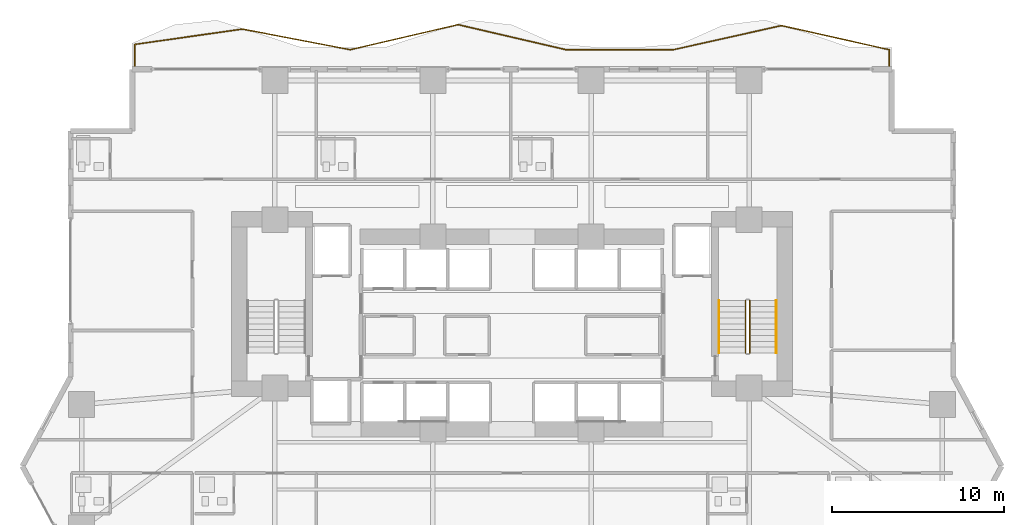
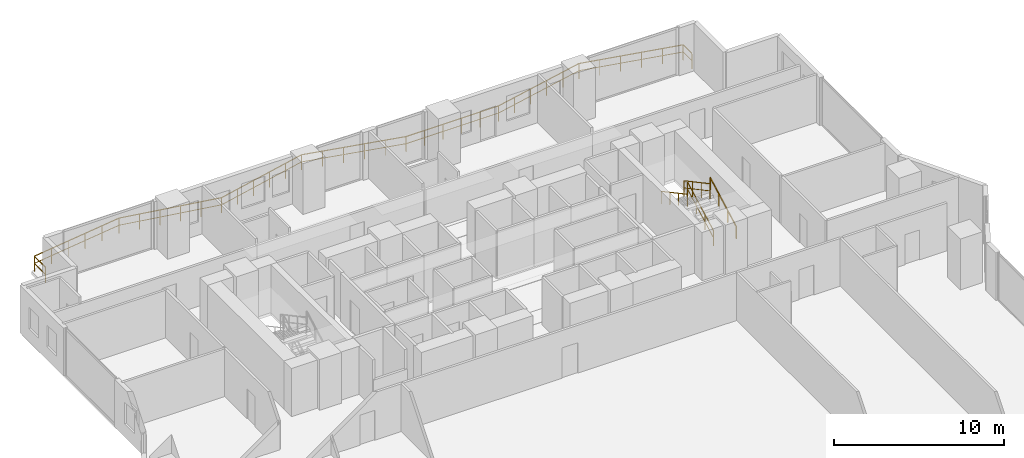
# One storey, part 26 of 28: 5 railings.
"""IFC4 building model written with IfcOpenShell, lengths in metres."""

import ifcopenshell
import ifcopenshell.guid

model = None  # the IFC model being written
_history = None  # IfcOwnerHistory: only IFC2X3 demands one
_inside = {}  # id of a spatial element -> (the spatial element, [elements in it])
_under = {}  # id of a project, library or spatial element -> (it, [spatial elements below it])
_declared = {}  # id of a project -> (the project, [libraries it declares])
_typed = {}  # id of a type object -> (the type object, [elements of that type])
_made_of = {}  # id of a material, layer set ... -> (it, [elements and type objects made of it])


def new_model(schema):
    """Start an empty IFC model of exactly this schema.

    Asked for "IFC4X3", IfcOpenShell would pick the latest addendum, in which some entities
    have other attributes; the version numbers below select the first issue.
    IFC2X3 requires an IfcOwnerHistory on every rooted entity: one is made here for all.
    """
    global model, _history
    if schema == "IFC4X3":
        model = ifcopenshell.file(schema_version=(4, 3, 0, 0))
    else:
        model = ifcopenshell.file(schema=schema)
    _inside.clear()
    _under.clear()
    _declared.clear()
    _typed.clear()
    _made_of.clear()
    _history = None
    if model.schema == "IFC2X3":
        org = make("IfcOrganization", Name="unknown")
        user = make(
            "IfcPersonAndOrganization",
            ThePerson=make("IfcPerson", FamilyName="unknown"),
            TheOrganization=org,
        )
        app = make(
            "IfcApplication",
            ApplicationDeveloper=org,
            Version="unknown",
            ApplicationFullName="unknown",
            ApplicationIdentifier="unknown",
        )
        _history = make(
            "IfcOwnerHistory",
            OwningUser=user,
            OwningApplication=app,
            ChangeAction="ADDED",
            CreationDate=0,
        )
    return model


def make(cls, **values):
    """One entity of the class cls with the attributes given. An attribute that is None is left unset."""
    return model.create_entity(
        cls, **{name: value for name, value in values.items() if value is not None}
    )


def rooted(cls, **values):
    """An entity with a GlobalId (a new one), such as an element, a storey or a relation."""
    return make(cls, GlobalId=ifcopenshell.guid.new(), OwnerHistory=_history, **values)


def si_unit(unit_type, name, prefix=None):
    """IfcSIUnit, for example si_unit("LENGTHUNIT", "METRE", prefix="MILLI")."""
    return make("IfcSIUnit", UnitType=unit_type, Prefix=prefix, Name=name)


def assignment(units):
    """IfcUnitAssignment: the units of a project."""
    return None if units is None else make("IfcUnitAssignment", Units=units)


def point(xyz):
    """IfcCartesianPoint."""
    return None if xyz is None else make("IfcCartesianPoint", Coordinates=xyz)


def direction(xyz):
    """IfcDirection."""
    return None if xyz is None else make("IfcDirection", DirectionRatios=xyz)


def frame(location, z_axis=None, x_axis=None):
    """IfcAxis2Placement3D, a coordinate frame: its origin and axes. An axis left out is left unset."""
    return make(
        "IfcAxis2Placement3D",
        Location=point(location),
        Axis=direction(z_axis),
        RefDirection=direction(x_axis),
    )


def frame_2d(location, x_axis=None):
    """IfcAxis2Placement2D, a coordinate frame in the plane: its origin and x axis."""
    return make(
        "IfcAxis2Placement2D", Location=point(location), RefDirection=direction(x_axis)
    )


def origin():
    """The frame at (0, 0, 0) with its axes left unset."""
    return frame((0.0, 0.0, 0.0))


def origin_2d():
    """The frame at (0, 0) in the plane with its x axis left unset."""
    return frame_2d((0.0, 0.0))


def place(relative_to, where):
    """IfcLocalPlacement: puts the frame where relative to a parent placement (None: the world)."""
    return make(
        "IfcLocalPlacement", PlacementRelTo=relative_to, RelativePlacement=where
    )


def context(
    kind, dimensions, precision=None, world=None, true_north=None, identifier=None
):
    """IfcGeometricRepresentationContext, for example the 3D "Model" context."""
    return make(
        "IfcGeometricRepresentationContext",
        ContextIdentifier=identifier,
        ContextType=kind,
        CoordinateSpaceDimension=dimensions,
        Precision=precision,
        WorldCoordinateSystem=world,
        TrueNorth=true_north,
    )


def subcontext(parent, identifier, kind, view, scale=None):
    """IfcGeometricRepresentationSubContext, for example "Body" below "Model"."""
    return make(
        "IfcGeometricRepresentationSubContext",
        ContextIdentifier=identifier,
        ContextType=kind,
        ParentContext=parent,
        TargetScale=scale,
        TargetView=view,
    )


def project(units=None, contexts=None):
    """IfcProject with its units and contexts."""
    return rooted(
        "IfcProject",
        Name="project",
        RepresentationContexts=contexts,
        UnitsInContext=assignment(units),
    )


def spatial(cls, under=None, at=None, **own):
    """A site, building, storey or space (cls), placed at a placement, below another one or the project."""
    s = rooted(cls, ObjectPlacement=at, **own)
    if under is not None:
        _under.setdefault(under.id(), (under, []))[1].append(s)
    return s


def profile(cls, at=None, kind="AREA", **sizes):
    """A parametric profile (cls). Its sizes go by their IFC names, for example OverallWidth=200.0."""
    return make(cls, ProfileType=kind, Position=at, **sizes)


def rectangle(**sizes):
    """IfcRectangleProfileDef."""
    return profile("IfcRectangleProfileDef", **sizes)


def extrude(swept, where, along, depth):
    """IfcExtrudedAreaSolid: the profile swept, set in the frame where, extruded along a direction by depth."""
    return make(
        "IfcExtrudedAreaSolid",
        SweptArea=swept,
        Position=where,
        ExtrudedDirection=direction(along),
        Depth=depth,
    )


def shape(context_of_items, identifier, shape_type, items):
    """IfcShapeRepresentation: the items that make up one representation, for example the "Body"."""
    return make(
        "IfcShapeRepresentation",
        ContextOfItems=context_of_items,
        RepresentationIdentifier=identifier,
        RepresentationType=shape_type,
        Items=items,
    )


def material(Name=None, Category=None):
    """IfcMaterial."""
    return make("IfcMaterial", Name=Name, Category=Category)


def made_of(thing, what):
    """Note that an element or type object is made of a material, layer set ...; save() writes the relation."""
    if what is not None:
        _made_of.setdefault(what.id(), (what, []))[1].append(thing)
    return thing


def type_object(cls, material=None, **own):
    """A type object (cls), such as IfcWallType, which elements share."""
    return made_of(rooted(cls, **own), material)


def element(
    cls,
    number,
    at=None,
    inside=None,
    cuts=None,
    type_object=None,
    material=None,
    context=None,
    identifier="Body",
    shape_type=None,
    held_by="IfcProductDefinitionShape",
    body=None,
    shapes=None,
    **own,
):
    """One element of the class cls, such as IfcWall. Its Tag is "e" and its number.

    at: its placement. inside: the storey or other place that contains it. cuts: it is an
    opening in that element (IfcRelVoidsElement). A single representation is given by context,
    identifier, shape_type and body (its items); several are given by shapes. held_by: the class
    of the entity that holds the representations. save() writes the other relations.
    """
    e = rooted(cls, Tag="e%d" % number, ObjectPlacement=at, **own)
    if body is not None:
        shapes = [shape(context, identifier, shape_type, body)]
    if shapes is not None:
        e.Representation = make(held_by, Representations=shapes)
    if inside is not None:
        _inside.setdefault(inside.id(), (inside, []))[1].append(e)
    if cuts is not None:
        rooted(
            "IfcRelVoidsElement", RelatingBuildingElement=cuts, RelatedOpeningElement=e
        )
    if type_object is not None:
        _typed.setdefault(type_object.id(), (type_object, []))[1].append(e)
    return made_of(e, material)


def aggregate(whole, parts):
    """IfcRelAggregates: a whole, such as a stair, and the parts it consists of."""
    return rooted("IfcRelAggregates", RelatingObject=whole, RelatedObjects=parts)


def save(model, path):
    """Write the relations noted so far, then the file.

    IfcRelAggregates (storeys below a building ...), IfcRelContainedInSpatialStructure (elements
    in a storey), IfcRelDefinesByType, IfcRelAssociatesMaterial and IfcRelDeclares: one each for
    every whole, place, type object, material and project.
    """
    for whole, parts in _under.values():
        aggregate(whole, parts)
    for where, things in _inside.values():
        rooted(
            "IfcRelContainedInSpatialStructure",
            RelatedElements=things,
            RelatingStructure=where,
        )
    for kind, things in _typed.values():
        rooted("IfcRelDefinesByType", RelatedObjects=things, RelatingType=kind)
    for what, things in _made_of.values():
        rooted("IfcRelAssociatesMaterial", RelatedObjects=things, RelatingMaterial=what)
    for by, libraries in _declared.values():
        rooted("IfcRelDeclares", RelatingContext=by, RelatedDefinitions=libraries)
    model.write(path)


model = new_model("IFC4")

# Units and contexts
model_context = context("Model", 3, precision=1e-05, world=origin(), true_north=direction((0.0, 1.0)))
body_context = subcontext(model_context, "Body", "Model", "MODEL_VIEW")
ifc_project = project(units=[si_unit("LENGTHUNIT", "METRE"), si_unit("AREAUNIT", "SQUARE_METRE"), si_unit("VOLUMEUNIT", "CUBIC_METRE"), si_unit("PLANEANGLEUNIT", "RADIAN"), si_unit("MASSUNIT", "GRAM", prefix="KILO")], contexts=[model_context])

# Site, building, storey
site_placement = place(None, origin())
site = spatial("IfcSite", under=ifc_project, at=site_placement, CompositionType="ELEMENT")
building_placement = place(site_placement, origin())
building = spatial("IfcBuilding", under=site, at=building_placement, Name="Zuhayl Quay Hotel", CompositionType="ELEMENT")
storey_placement = place(building_placement, frame((0.0, 0.0, 71.39990234375)))
storey = spatial("IfcBuildingStorey", under=building, at=storey_placement, Name="L17", CompositionType="ELEMENT", Elevation=71.39990234375)

# Railings
ifc_material_1 = material(Name="Anodised Aluminium and Laminated Glass", Category="aluminium")
railing_type_1 = type_object("IfcRailingType", Name="RL_EXT_BAL_1100", PredefinedType="BALUSTRADE", material=ifc_material_1)
railing_1_placement = place(storey_placement, frame((-21.9599609375, 23.219970703125, 0.0)))
element("IfcRailing", 1, at=railing_1_placement, inside=storey, type_object=railing_type_1, Name="L17 Balcony and Terrace Guard GR_L17_BAL_N", PredefinedType="BALUSTRADE", context=body_context, shape_type="SweptSolid", body=[
    extrude(rectangle(XDim=0.048095703125, YDim=0.048095703125, at=origin_2d()), frame((0.0, 0.0, 1.09619140625), z_axis=(0.0, 1.0, 0.0), x_axis=(-1.0, 0.0, 0.0)), (0.0, 0.0, 1.0), 1.327880859375),
    extrude(rectangle(XDim=0.0361328125, YDim=0.0361328125, at=origin_2d()), frame((0.0, 0.0, 0.58251953125), z_axis=(0.0, 1.0, 0.0), x_axis=(-1.0, 0.0, 0.0)), (0.0, 0.0, 1.0), 1.327880859375),
    extrude(rectangle(XDim=0.048095703125, YDim=0.048095703125, at=origin_2d()), frame((0.0, 1.327880859375, 1.09619140625), z_axis=(0.990015645438, 0.140957517672, 0.0), x_axis=(-0.140957517672, 0.990015645438, 0.0)), (0.0, 0.0, 1.0), 6.33740234375),
    extrude(rectangle(XDim=0.0361328125, YDim=0.0361328125, at=origin_2d()), frame((0.0, 1.327880859375, 0.58251953125), z_axis=(0.990015645438, 0.140957517672, 0.0), x_axis=(-0.140957517672, 0.990015645438, 0.0)), (0.0, 0.0, 1.0), 6.33740234375),
    extrude(rectangle(XDim=0.048095703125, YDim=0.048095703125, at=origin_2d()), frame((6.274169921875, 2.22119140625, 1.09619140625), z_axis=(0.982164202517, -0.188025209198, 0.0), x_axis=(0.188025209198, 0.982164202517, 0.0)), (0.0, 0.0, 1.0), 6.388427734375),
    extrude(rectangle(XDim=0.0361328125, YDim=0.0361328125, at=origin_2d()), frame((6.274169921875, 2.22119140625, 0.58251953125), z_axis=(0.982164202517, -0.188025209198, 0.0), x_axis=(0.188025209198, 0.982164202517, 0.0)), (0.0, 0.0, 1.0), 6.388427734375),
    extrude(rectangle(XDim=0.048095703125, YDim=0.048095703125, at=origin_2d()), frame((12.548583984375, 1.02001953125, 1.09619140625), z_axis=(0.973987215954, 0.226602963702, 0.0), x_axis=(-0.226602963702, 0.973987215954, 0.0)), (0.0, 0.0, 1.0), 6.441650390625),
    extrude(rectangle(XDim=0.0361328125, YDim=0.0361328125, at=origin_2d()), frame((12.548583984375, 1.02001953125, 0.58251953125), z_axis=(0.973987215954, 0.226602963702, 0.0), x_axis=(-0.226602963702, 0.973987215954, 0.0)), (0.0, 0.0, 1.0), 6.441650390625),
    extrude(rectangle(XDim=0.048095703125, YDim=0.048095703125, at=origin_2d()), frame((18.82275390625, 2.479736328125, 1.09619140625), z_axis=(0.97398916196, -0.226594599197, 0.0), x_axis=(0.226594599197, 0.97398916196, 0.0)), (0.0, 0.0, 1.0), 6.44189453125),
    extrude(rectangle(XDim=0.0361328125, YDim=0.0361328125, at=origin_2d()), frame((18.82275390625, 2.479736328125, 0.58251953125), z_axis=(0.97398916196, -0.226594599197, 0.0), x_axis=(0.226594599197, 0.97398916196, 0.0)), (0.0, 0.0, 1.0), 6.44189453125),
    extrude(rectangle(XDim=0.048095703125, YDim=0.048095703125, at=origin_2d()), frame((25.09716796875, 1.02001953125, 1.09619140625), z_axis=(0.999999726697, 0.000739328176, 0.0), x_axis=(-0.000739328176, 0.999999726697, 0.0)), (0.0, 0.0, 1.0), 6.274169921875),
    extrude(rectangle(XDim=0.0361328125, YDim=0.0361328125, at=origin_2d()), frame((25.09716796875, 1.02001953125, 0.58251953125), z_axis=(0.999999726697, 0.000739328176, 0.0), x_axis=(-0.000739328176, 0.999999726697, 0.0)), (0.0, 0.0, 1.0), 6.274169921875),
    extrude(rectangle(XDim=0.048095703125, YDim=0.048095703125, at=origin_2d()), frame((31.371337890625, 1.024658203125, 1.09619140625), z_axis=(0.97601877339, 0.217686366112, 0.0), x_axis=(-0.217686366112, 0.97601877339, 0.0)), (0.0, 0.0, 1.0), 6.428466796875),
    extrude(rectangle(XDim=0.0361328125, YDim=0.0361328125, at=origin_2d()), frame((31.371337890625, 1.024658203125, 0.58251953125), z_axis=(0.97601877339, 0.217686366112, 0.0), x_axis=(-0.217686366112, 0.97601877339, 0.0)), (0.0, 0.0, 1.0), 6.428466796875),
    extrude(rectangle(XDim=0.048095703125, YDim=0.048095703125, at=origin_2d()), frame((37.645751953125, 2.424072265625, 1.09619140625), z_axis=(0.975863435548, -0.218381673133, 0.0), x_axis=(0.218381673133, 0.975863435548, 0.0)), (0.0, 0.0, 1.0), 6.429443359375),
    extrude(rectangle(XDim=0.0361328125, YDim=0.0361328125, at=origin_2d()), frame((37.645751953125, 2.424072265625, 0.58251953125), z_axis=(0.975863435548, -0.218381673133, 0.0), x_axis=(0.218381673133, 0.975863435548, 0.0)), (0.0, 0.0, 1.0), 6.429443359375),
    extrude(rectangle(XDim=0.048095703125, YDim=0.048095703125, at=origin_2d()), frame((43.919921875, 1.02001953125, 1.09619140625), z_axis=(0.0, -1.0, 0.0), x_axis=(1.0, 0.0, 0.0)), (0.0, 0.0, 1.0), 1.02001953125),
    extrude(rectangle(XDim=0.0361328125, YDim=0.0361328125, at=origin_2d()), frame((43.919921875, 1.02001953125, 0.58251953125), z_axis=(0.0, -1.0, 0.0), x_axis=(1.0, 0.0, 0.0)), (0.0, 0.0, 1.0), 1.02001953125),
    extrude(rectangle(XDim=0.0419921875, YDim=0.0419921875, at=origin_2d()), origin(), (0.0, 0.0, 1.0), 1.072021484375),
    extrude(rectangle(XDim=0.0419921875, YDim=0.0419921875, at=origin_2d()), frame((0.0, 1.327880859375, 0.0)), (0.0, 0.0, 1.0), 1.072021484375),
    extrude(rectangle(XDim=0.0419921875, YDim=0.0419921875, at=origin_2d()), frame((1.2548828125, 1.506591796875, 0.0)), (0.0, 0.0, 1.0), 1.072021484375),
    extrude(rectangle(XDim=0.0419921875, YDim=0.0419921875, at=origin_2d()), frame((2.509765625, 1.685302734375, 0.0)), (0.0, 0.0, 1.0), 1.072021484375),
    extrude(rectangle(XDim=0.0419921875, YDim=0.0419921875, at=origin_2d()), frame((3.764404296875, 1.86376953125, 0.0)), (0.0, 0.0, 1.0), 1.072021484375),
    extrude(rectangle(XDim=0.0419921875, YDim=0.0419921875, at=origin_2d()), frame((5.019287109375, 2.04248046875, 0.0)), (0.0, 0.0, 1.0), 1.072021484375),
    extrude(rectangle(XDim=0.0419921875, YDim=0.0419921875, at=origin_2d()), frame((6.274169921875, 2.22119140625, 0.0)), (0.0, 0.0, 1.0), 1.072021484375),
    extrude(rectangle(XDim=0.0419921875, YDim=0.0419921875, at=origin_2d()), frame((7.529052734375, 1.98095703125, 0.0)), (0.0, 0.0, 1.0), 1.072021484375),
    extrude(rectangle(XDim=0.0419921875, YDim=0.0419921875, at=origin_2d()), frame((8.783935546875, 1.74072265625, 0.0)), (0.0, 0.0, 1.0), 1.072021484375),
    extrude(rectangle(XDim=0.0419921875, YDim=0.0419921875, at=origin_2d()), frame((10.038818359375, 1.50048828125, 0.0)), (0.0, 0.0, 1.0), 1.072021484375),
    extrude(rectangle(XDim=0.0419921875, YDim=0.0419921875, at=origin_2d()), frame((11.293701171875, 1.26025390625, 0.0)), (0.0, 0.0, 1.0), 1.072021484375),
    extrude(rectangle(XDim=0.0419921875, YDim=0.0419921875, at=origin_2d()), frame((12.548583984375, 1.02001953125, 0.0)), (0.0, 0.0, 1.0), 1.072021484375),
    extrude(rectangle(XDim=0.0419921875, YDim=0.0419921875, at=origin_2d()), frame((13.803466796875, 1.31201171875, 0.0)), (0.0, 0.0, 1.0), 1.072021484375),
    extrude(rectangle(XDim=0.0419921875, YDim=0.0419921875, at=origin_2d()), frame((15.058349609375, 1.60400390625, 0.0)), (0.0, 0.0, 1.0), 1.072021484375),
    extrude(rectangle(XDim=0.0419921875, YDim=0.0419921875, at=origin_2d()), frame((16.31298828125, 1.895751953125, 0.0)), (0.0, 0.0, 1.0), 1.072021484375),
    extrude(rectangle(XDim=0.0419921875, YDim=0.0419921875, at=origin_2d()), frame((17.56787109375, 2.187744140625, 0.0)), (0.0, 0.0, 1.0), 1.072021484375),
    extrude(rectangle(XDim=0.0419921875, YDim=0.0419921875, at=origin_2d()), frame((18.82275390625, 2.479736328125, 0.0)), (0.0, 0.0, 1.0), 1.072021484375),
    extrude(rectangle(XDim=0.0419921875, YDim=0.0419921875, at=origin_2d()), frame((20.07763671875, 2.187744140625, 0.0)), (0.0, 0.0, 1.0), 1.072021484375),
    extrude(rectangle(XDim=0.0419921875, YDim=0.0419921875, at=origin_2d()), frame((21.33251953125, 1.895751953125, 0.0)), (0.0, 0.0, 1.0), 1.072021484375),
    extrude(rectangle(XDim=0.0419921875, YDim=0.0419921875, at=origin_2d()), frame((22.58740234375, 1.60400390625, 0.0)), (0.0, 0.0, 1.0), 1.072021484375),
    extrude(rectangle(XDim=0.0419921875, YDim=0.0419921875, at=origin_2d()), frame((23.84228515625, 1.31201171875, 0.0)), (0.0, 0.0, 1.0), 1.072021484375),
    extrude(rectangle(XDim=0.0419921875, YDim=0.0419921875, at=origin_2d()), frame((25.09716796875, 1.02001953125, 0.0)), (0.0, 0.0, 1.0), 1.072021484375),
    extrude(rectangle(XDim=0.0419921875, YDim=0.0419921875, at=origin_2d()), frame((26.35205078125, 1.02099609375, 0.0)), (0.0, 0.0, 1.0), 1.072021484375),
    extrude(rectangle(XDim=0.0419921875, YDim=0.0419921875, at=origin_2d()), frame((27.60693359375, 1.02197265625, 0.0)), (0.0, 0.0, 1.0), 1.072021484375),
    extrude(rectangle(XDim=0.0419921875, YDim=0.0419921875, at=origin_2d()), frame((28.861572265625, 1.022705078125, 0.0)), (0.0, 0.0, 1.0), 1.072021484375),
    extrude(rectangle(XDim=0.0419921875, YDim=0.0419921875, at=origin_2d()), frame((30.116455078125, 1.023681640625, 0.0)), (0.0, 0.0, 1.0), 1.072021484375),
    extrude(rectangle(XDim=0.0419921875, YDim=0.0419921875, at=origin_2d()), frame((31.371337890625, 1.024658203125, 0.0)), (0.0, 0.0, 1.0), 1.072021484375),
    extrude(rectangle(XDim=0.0419921875, YDim=0.0419921875, at=origin_2d()), frame((32.626220703125, 1.304443359375, 0.0)), (0.0, 0.0, 1.0), 1.072021484375),
    extrude(rectangle(XDim=0.0419921875, YDim=0.0419921875, at=origin_2d()), frame((33.881103515625, 1.58447265625, 0.0)), (0.0, 0.0, 1.0), 1.072021484375),
    extrude(rectangle(XDim=0.0419921875, YDim=0.0419921875, at=origin_2d()), frame((35.135986328125, 1.8642578125, 0.0)), (0.0, 0.0, 1.0), 1.072021484375),
    extrude(rectangle(XDim=0.0419921875, YDim=0.0419921875, at=origin_2d()), frame((36.390869140625, 2.144287109375, 0.0)), (0.0, 0.0, 1.0), 1.072021484375),
    extrude(rectangle(XDim=0.0419921875, YDim=0.0419921875, at=origin_2d()), frame((37.645751953125, 2.424072265625, 0.0)), (0.0, 0.0, 1.0), 1.072021484375),
    extrude(rectangle(XDim=0.0419921875, YDim=0.0419921875, at=origin_2d()), frame((38.900634765625, 2.143310546875, 0.0)), (0.0, 0.0, 1.0), 1.072021484375),
    extrude(rectangle(XDim=0.0419921875, YDim=0.0419921875, at=origin_2d()), frame((40.155517578125, 1.862548828125, 0.0)), (0.0, 0.0, 1.0), 1.072021484375),
    extrude(rectangle(XDim=0.0419921875, YDim=0.0419921875, at=origin_2d()), frame((41.41015625, 1.58154296875, 0.0)), (0.0, 0.0, 1.0), 1.072021484375),
    extrude(rectangle(XDim=0.0419921875, YDim=0.0419921875, at=origin_2d()), frame((42.6650390625, 1.30078125, 0.0)), (0.0, 0.0, 1.0), 1.072021484375),
    extrude(rectangle(XDim=0.0419921875, YDim=0.0419921875, at=origin_2d()), frame((43.919921875, 1.02001953125, 0.0)), (0.0, 0.0, 1.0), 1.072021484375),
    extrude(rectangle(XDim=0.0419921875, YDim=0.0419921875, at=origin_2d()), frame((43.919921875, 0.0, 0.0)), (0.0, 0.0, 1.0), 1.072021484375),
])
ifc_material_2 = material(Name="Steel ASTM A992 Grade 50", Category="steel")
railing_type_2 = type_object("IfcRailingType", Name="RL_GUARD_1100", PredefinedType="GUARDRAIL", material=ifc_material_2)
railing_2_placement = place(storey_placement, frame((13.840087890625, 6.590087890625, 0.1826171875)))
element("IfcRailing", 2, at=railing_2_placement, inside=storey, type_object=railing_type_2, Name="L17 ST2 stair guard 1", PredefinedType="GUARDRAIL", context=body_context, shape_type="SweptSolid", body=[
    extrude(rectangle(XDim=0.048095703125, YDim=0.048095703125, at=origin_2d()), frame((0.0, 0.0, 1.09619140625), z_axis=(0.0, 0.88107310026, 0.472980117973), x_axis=(-1.0, 0.0, 0.0)), (0.0, 0.0, 1.0), 3.472900390625),
    extrude(rectangle(XDim=0.0361328125, YDim=0.0361328125, at=origin_2d()), frame((0.0, 0.0, 0.58251953125), z_axis=(0.0, 0.88107310026, 0.472980117973), x_axis=(-1.0, 0.0, 0.0)), (0.0, 0.0, 1.0), 3.472900390625),
    extrude(rectangle(XDim=0.0419921875, YDim=0.0419921875, at=origin_2d()), origin(), (0.0, 0.0, 1.0), 1.072021484375),
    extrude(rectangle(XDim=0.0419921875, YDim=0.0419921875, at=origin_2d()), frame((0.0, 1.02001953125, 0.547607421875)), (0.0, 0.0, 1.0), 1.072021484375),
    extrude(rectangle(XDim=0.0419921875, YDim=0.0419921875, at=origin_2d()), frame((0.0, 2.039794921875, 1.094970703125)), (0.0, 0.0, 1.0), 1.072021484375),
    extrude(rectangle(XDim=0.0419921875, YDim=0.0419921875, at=origin_2d()), frame((0.0, 3.059814453125, 1.642578125)), (0.0, 0.0, 1.0), 1.072021484375),
])
railing_3_placement = place(storey_placement, frame((13.590087890625, 9.64990234375, 2.007568359375)))
element("IfcRailing", 3, at=railing_3_placement, inside=storey, type_object=railing_type_2, Name="L17 ST2 stair guard 3", PredefinedType="GUARDRAIL", context=body_context, shape_type="SweptSolid", body=[
    extrude(rectangle(XDim=0.048095703125, YDim=0.048095703125, at=origin_2d()), frame((0.0, 0.0, 1.09619140625), z_axis=(0.0, -0.88107310026, 0.472980117973), x_axis=(1.0, 0.0, 0.0)), (0.0, 0.0, 1.0), 3.472900390625),
    extrude(rectangle(XDim=0.0361328125, YDim=0.0361328125, at=origin_2d()), frame((0.0, 0.0, 0.58251953125), z_axis=(0.0, -0.88107310026, 0.472980117973), x_axis=(1.0, 0.0, 0.0)), (0.0, 0.0, 1.0), 3.472900390625),
    extrude(rectangle(XDim=0.0419921875, YDim=0.0419921875, at=origin_2d()), origin(), (0.0, 0.0, 1.0), 1.072021484375),
    extrude(rectangle(XDim=0.0419921875, YDim=0.0419921875, at=origin_2d()), frame((0.0, -1.02001953125, 0.547607421875)), (0.0, 0.0, 1.0), 1.072021484375),
    extrude(rectangle(XDim=0.0419921875, YDim=0.0419921875, at=origin_2d()), frame((0.0, -2.039794921875, 1.094970703125)), (0.0, 0.0, 1.0), 1.072021484375),
    extrude(rectangle(XDim=0.0419921875, YDim=0.0419921875, at=origin_2d()), frame((0.0, -3.059814453125, 1.642578125)), (0.0, 0.0, 1.0), 1.072021484375),
])
railing_type_3 = type_object("IfcRailingType", Name="RL_HANDRAIL_920", PredefinedType="HANDRAIL", material=ifc_material_2)
railing_4_placement = place(storey_placement, frame((15.3798828125, 6.590087890625, 0.1826171875)))
element("IfcRailing", 4, at=railing_4_placement, inside=storey, type_object=railing_type_3, Name="L17 ST2 stair handrail 1", PredefinedType="HANDRAIL", context=body_context, shape_type="SweptSolid", body=[
    extrude(rectangle(XDim=0.048095703125, YDim=0.048095703125, at=origin_2d()), frame((0.0, 0.0, 0.8759765625), z_axis=(0.0, 0.88107310026, 0.472980117973), x_axis=(-1.0, 0.0, 0.0)), (0.0, 0.0, 1.0), 3.472900390625),
    extrude(rectangle(XDim=0.0419921875, YDim=0.0419921875, at=origin_2d()), origin(), (0.0, 0.0, 1.0), 0.851806640625),
    extrude(rectangle(XDim=0.0419921875, YDim=0.0419921875, at=origin_2d()), frame((0.0, 1.02001953125, 0.547607421875)), (0.0, 0.0, 1.0), 0.851806640625),
    extrude(rectangle(XDim=0.0419921875, YDim=0.0419921875, at=origin_2d()), frame((0.0, 2.039794921875, 1.094970703125)), (0.0, 0.0, 1.0), 0.851806640625),
    extrude(rectangle(XDim=0.0419921875, YDim=0.0419921875, at=origin_2d()), frame((0.0, 3.059814453125, 1.642578125)), (0.0, 0.0, 1.0), 0.851806640625),
])
railing_5_placement = place(storey_placement, frame((12.050048828125, 9.64990234375, 2.007568359375)))
element("IfcRailing", 5, at=railing_5_placement, inside=storey, type_object=railing_type_3, Name="L17 ST2 stair handrail 2", PredefinedType="HANDRAIL", context=body_context, shape_type="SweptSolid", body=[
    extrude(rectangle(XDim=0.048095703125, YDim=0.048095703125, at=origin_2d()), frame((0.0, 0.0, 0.8759765625), z_axis=(0.0, -0.88107310026, 0.472980117973), x_axis=(1.0, 0.0, 0.0)), (0.0, 0.0, 1.0), 3.472900390625),
    extrude(rectangle(XDim=0.0419921875, YDim=0.0419921875, at=origin_2d()), origin(), (0.0, 0.0, 1.0), 0.851806640625),
    extrude(rectangle(XDim=0.0419921875, YDim=0.0419921875, at=origin_2d()), frame((0.0, -1.02001953125, 0.547607421875)), (0.0, 0.0, 1.0), 0.851806640625),
    extrude(rectangle(XDim=0.0419921875, YDim=0.0419921875, at=origin_2d()), frame((0.0, -2.039794921875, 1.094970703125)), (0.0, 0.0, 1.0), 0.851806640625),
    extrude(rectangle(XDim=0.0419921875, YDim=0.0419921875, at=origin_2d()), frame((0.0, -3.059814453125, 1.642578125)), (0.0, 0.0, 1.0), 0.851806640625),
])

save(model, "model.ifc")
